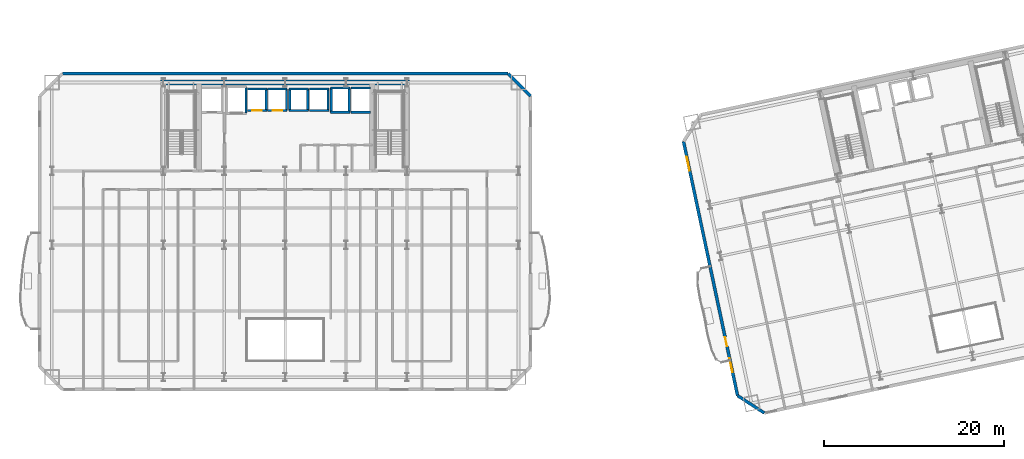
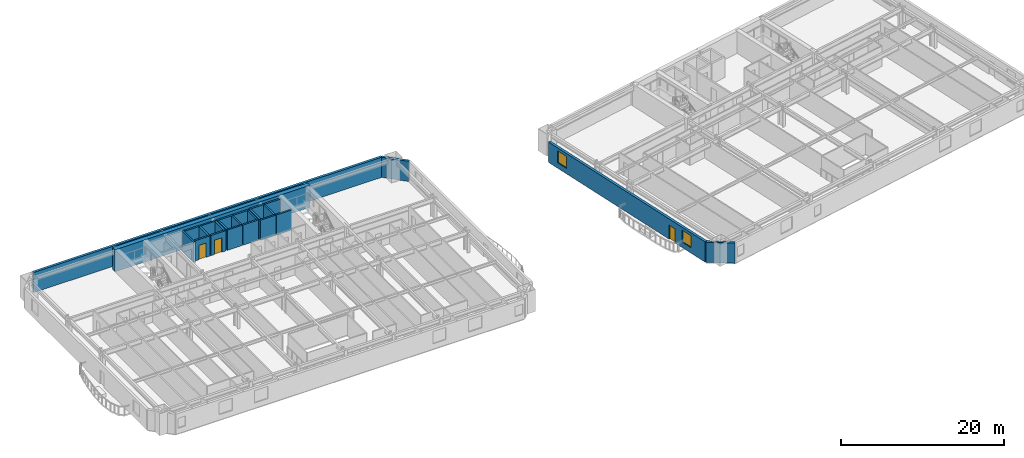
# One storey, part 7 of 17: 25 walls, 3 doors, 2 windows, 5 openings.
"""IFC4 building model written with IfcOpenShell, lengths in metres."""

from ifc_helpers import new_model, si_unit, direction, frame, frame_2d, origin, place, context, subcontext, project, spatial, rectangle, extrude, material, layer, layer_set, type_object, element, fill, save


model = new_model("IFC4")

# Units and contexts
model_context = context("Model", 3, precision=1e-05, world=origin(), true_north=direction((0.0, 1.0)))
body_context = subcontext(model_context, "Body", "Model", "MODEL_VIEW")
ifc_project = project(units=[si_unit("LENGTHUNIT", "METRE"), si_unit("AREAUNIT", "SQUARE_METRE"), si_unit("VOLUMEUNIT", "CUBIC_METRE"), si_unit("PLANEANGLEUNIT", "RADIAN"), si_unit("MASSUNIT", "GRAM", prefix="KILO")], contexts=[model_context])

# Site, building, storey
site_placement = place(None, origin())
site = spatial("IfcSite", under=ifc_project, at=site_placement, CompositionType="ELEMENT")
building_placement = place(site_placement, origin())
building = spatial("IfcBuilding", under=site, at=building_placement, Name="Haevon Station Towers", CompositionType="ELEMENT")
storey_placement = place(building_placement, frame((0.0, 0.0, 37.199951171875)))
storey = spatial("IfcBuildingStorey", under=building, at=storey_placement, Name="L08", CompositionType="ELEMENT", Elevation=37.199951171875)

# Walls
ifc_material_1 = material(Name="Concrete C60/75", Category="concrete")
ifc_layer_1 = layer(ifc_material_1, 0.60009765625)
ifc_layer_set_1 = layer_set([ifc_layer_1], Name="Concrete C60/75")
wall_type_1 = type_object("IfcWallType", Name="WL-CR600", PredefinedType="SHEAR", material=ifc_layer_set_1)
wall_1_placement = place(storey_placement, frame((23.699951171875, 48.0, 0.0), z_axis=(0.0, 0.0, 1.0), x_axis=(1.0, 0.0, 0.0)))
element("IfcWall", 1, at=wall_1_placement, inside=storey, type_object=wall_type_1, Name="WL-T1CR-L08-N", PredefinedType="SHEAR", context=body_context, shape_type="SweptSolid", body=[
    extrude(rectangle(XDim=27.60009765625, YDim=0.60009765625, at=frame_2d((13.800048828125, 0.0))), origin(), (0.0, 0.0, 1.0), 3.300048828125),
])
ifc_material_2 = material(Name="Precast concrete C45/55", Category="concrete")
ifc_layer_2 = layer(ifc_material_2, 0.340087890625)
ifc_layer_set_2 = layer_set([ifc_layer_2], Name="Precast concrete C45/55")
wall_type_2 = type_object("IfcWallType", Name="WL-EXT-PIER340", PredefinedType="SOLIDWALL", material=ifc_layer_set_2)
wall_2_placement = place(storey_placement, frame((12.800048828125, 49.0, 0.0), z_axis=(0.0, 0.0, 1.0), x_axis=(1.0, 0.0, 0.0)))
element("IfcWall", 2, at=wall_2_placement, inside=storey, type_object=wall_type_2, Name="WL-T1-L08-N", PredefinedType="SOLIDWALL", context=body_context, shape_type="SweptSolid", body=[
    extrude(rectangle(XDim=49.39990234375, YDim=0.340087890625, at=frame_2d((24.699951171875, 0.0))), origin(), (0.0, 0.0, 1.0), 3.030029296875),
])
wall_3_placement = place(storey_placement, frame((62.199951171875, 49.0, 0.0), z_axis=(0.0, 0.0, 1.0), x_axis=(0.707106781187, -0.707106781187, 0.0)))
element("IfcWall", 3, at=wall_3_placement, inside=storey, type_object=wall_type_2, Name="WL-T1-L08-NEC", PredefinedType="SOLIDWALL", context=body_context, shape_type="SweptSolid", body=[
    extrude(rectangle(XDim=3.53564453125, YDim=0.340087890625, at=frame_2d((1.767822265625, 0.0))), origin(), (0.0, 0.0, 1.0), 3.030029296875),
])
wall_4_placement = place(storey_placement, frame((90.593505859375, 11.37646484375, 0.0), z_axis=(0.0, 0.0, 1.0), x_axis=(-0.838672309694, 0.544636352948, 0.0)))
element("IfcWall", 4, at=wall_4_placement, inside=storey, type_object=wall_type_2, Name="WL-T2-L08-SWC", PredefinedType="SOLIDWALL", context=body_context, shape_type="SweptSolid", body=[
    extrude(rectangle(XDim=3.535400390625, YDim=0.340087890625, at=frame_2d((1.767578125, 0.0))), origin(), (0.0, 0.0, 1.0), 3.030029296875),
])

# Wall, openings, door, windows
wall_5_placement = place(storey_placement, frame((87.62841796875, 13.302001953125, 0.0), z_axis=(0.0, 0.0, 1.0), x_axis=(-0.207917660404, 0.97814633184, 0.0)))
wall_5 = element("IfcWall", 5, at=wall_5_placement, inside=storey, type_object=wall_type_2, Name="WL-T2-L08-W", PredefinedType="SOLIDWALL", context=body_context, shape_type="SweptSolid", body=[
    extrude(rectangle(XDim=28.800048828125, YDim=0.340087890625, at=frame_2d((14.39990234375, 0.0))), origin(), (0.0, 0.0, 1.0), 3.030029296875),
])
opening_1_placement = place(wall_5_placement, frame((5.574951171875, 0.0, 0.0)))
opening_1 = element("IfcOpeningElement", 6, at=opening_1_placement, cuts=wall_5, Name="Opening DR-T2-SCAL-L08-W", PredefinedType="OPENING", context=body_context, shape_type="SweptSolid", body=[
    extrude(rectangle(XDim=1.050048828125, YDim=2.10009765625, at=frame_2d((0.52490234375, 1.050048828125))), frame((0.0, 0.179931640625, 0.0), z_axis=(0.0, -1.0, 0.0), x_axis=(1.0, 0.0, 0.0)), (0.0, 0.0, 1.0), 0.360107421875),
])
opening_2_placement = place(wall_5_placement, frame((2.628662109375, 0.0, 0.800048828125)))
opening_2 = element("IfcOpeningElement", 7, at=opening_2_placement, cuts=wall_5, Name="Opening WN-END160", PredefinedType="OPENING", context=body_context, shape_type="SweptSolid", body=[
    extrude(rectangle(XDim=1.60009765625, YDim=1.800048828125, at=frame_2d((0.800048828125, 0.89990234375))), frame((0.0, 0.179931640625, 0.0), z_axis=(0.0, -1.0, 0.0), x_axis=(1.0, 0.0, 0.0)), (0.0, 0.0, 1.0), 0.360107421875),
])
opening_3_placement = place(wall_5_placement, frame((25.485595703125, 0.0, 0.800048828125)))
opening_3 = element("IfcOpeningElement", 8, at=opening_3_placement, cuts=wall_5, Name="Opening WN-END160", PredefinedType="OPENING", context=body_context, shape_type="SweptSolid", body=[
    extrude(rectangle(XDim=1.60009765625, YDim=1.800048828125, at=frame_2d((0.800048828125, 0.89990234375))), frame((0.0, 0.179931640625, 0.0), z_axis=(0.0, -1.0, 0.0), x_axis=(1.0, 0.0, 0.0)), (0.0, 0.0, 1.0), 0.360107421875),
])
ifc_material_3 = material(Name="Thermally broken anodised aluminium and laminated safety glass", Category="aluminium")
door_type_1 = type_object("IfcDoorType", Name="DR-BALC-1050", OperationType="NOTDEFINED", PredefinedType="DOOR", material=ifc_material_3)
door_1_placement = place(opening_1_placement, origin())
door_1 = element("IfcDoor", 9, at=door_1_placement, inside=storey, type_object=door_type_1, Name="Tower 2 L08 West Scalloped Balcony Door", OperationType="SINGLE_SWING_RIGHT", OverallHeight=2.10009765625, OverallWidth=1.050048828125, PredefinedType="DOOR", context=body_context, shape_type="SweptSolid", body=[
    extrude(rectangle(XDim=1.050048828125, YDim=2.10009765625, at=frame_2d((0.52490234375, 1.050048828125))), frame((0.0, 0.02490234375, 0.0), z_axis=(0.0, -1.0, 0.0), x_axis=(1.0, 0.0, 0.0)), (0.0, 0.0, 1.0), 0.050048828125),
])
fill(opening_1, door_1)
ifc_material_4 = material(Name="Low-E triple glazing in thermally broken aluminium", Category="aluminium")
window_type = type_object("IfcWindowType", Name="WN-END160", PartitioningType="SINGLE_PANEL", PredefinedType="WINDOW", material=ifc_material_4)
window_1_placement = place(opening_2_placement, origin())
window_1 = element("IfcWindow", 10, at=window_1_placement, inside=storey, type_object=window_type, Name="WN-T2-L08-W01", OverallHeight=1.800048828125, OverallWidth=1.60009765625, PartitioningType="SINGLE_PANEL", PredefinedType="WINDOW", context=body_context, shape_type="SweptSolid", body=[
    extrude(rectangle(XDim=1.60009765625, YDim=1.800048828125, at=frame_2d((0.800048828125, 0.89990234375))), frame((0.0, 0.030029296875, 0.0), z_axis=(0.0, -1.0, 0.0), x_axis=(1.0, 0.0, 0.0)), (0.0, 0.0, 1.0), 0.06005859375),
])
fill(opening_2, window_1)
window_2_placement = place(opening_3_placement, origin())
window_2 = element("IfcWindow", 11, at=window_2_placement, inside=storey, type_object=window_type, Name="WN-T2-L08-W02", OverallHeight=1.800048828125, OverallWidth=1.60009765625, PartitioningType="SINGLE_PANEL", PredefinedType="WINDOW", context=body_context, shape_type="SweptSolid", body=[
    extrude(rectangle(XDim=1.60009765625, YDim=1.800048828125, at=frame_2d((0.800048828125, 0.89990234375))), frame((0.0, 0.030029296875, 0.0), z_axis=(0.0, -1.0, 0.0), x_axis=(1.0, 0.0, 0.0)), (0.0, 0.0, 1.0), 0.06005859375),
])
fill(opening_3, window_2)

# Wall
ifc_material_5 = material(Name="Concrete C40/50", Category="concrete")
ifc_layer_3 = layer(ifc_material_5, 0.239990234375)
ifc_layer_set_3 = layer_set([ifc_layer_3], Name="Concrete C40/50")
wall_type_3 = type_object("IfcWallType", Name="WL-SHF240", PredefinedType="PARTITIONING", material=ifc_layer_set_3)
wall_6_placement = place(storey_placement, frame((33.14990234375, 44.60009765625, 0.0), z_axis=(0.0, 0.0, 1.0), x_axis=(0.0, 1.0, 0.0)))
element("IfcWall", 12, at=wall_6_placement, inside=storey, type_object=wall_type_3, Name="WL-SHF-SL1-L08-E", PredefinedType="PARTITIONING", context=body_context, shape_type="SweptSolid", body=[
    extrude(rectangle(XDim=2.89990234375, YDim=0.239990234375, at=frame_2d((1.449951171875, 0.0))), origin(), (0.0, 0.0, 1.0), 3.030029296875),
])

# Wall, opening, door
wall_7_placement = place(storey_placement, frame((33.320068359375, 44.89990234375, 0.0), z_axis=(0.0, 0.0, 1.0), x_axis=(1.0, 0.0, 0.0)))
wall_7 = element("IfcWall", 13, at=wall_7_placement, inside=storey, type_object=wall_type_3, Name="WL-SHF-PL1-L08", PredefinedType="PARTITIONING", context=body_context, shape_type="SweptSolid", body=[
    extrude(rectangle(XDim=2.159912109375, YDim=0.239990234375, at=frame_2d((1.080078125, 0.0))), origin(), (0.0, 0.0, 1.0), 3.030029296875),
])
opening_4_placement = place(wall_7_placement, frame((0.554931640625, 0.0, 0.0)))
opening_4 = element("IfcOpeningElement", 14, at=opening_4_placement, cuts=wall_7, Name="Opening LD-PL1-L08", PredefinedType="OPENING", context=body_context, shape_type="SweptSolid", body=[
    extrude(rectangle(XDim=1.050048828125, YDim=2.14990234375, at=frame_2d((0.52490234375, 1.074951171875))), frame((0.0, 0.1298828125, 0.0), z_axis=(0.0, -1.0, 0.0), x_axis=(1.0, 0.0, 0.0)), (0.0, 0.0, 1.0), 0.260009765625),
])
ifc_material_6 = material(Name="Stainless steel and rated core", Category="steel")
door_type_2 = type_object("IfcDoorType", Name="LD-PL1050", OperationType="SLIDING_TO_LEFT", PredefinedType="DOOR", material=ifc_material_6)
door_2_placement = place(opening_4_placement, origin())
door_2 = element("IfcDoor", 15, at=door_2_placement, inside=storey, type_object=door_type_2, Name="L08 Lift PL1 Sliding Landing Door", OperationType="SLIDING_TO_LEFT", OverallHeight=2.14990234375, OverallWidth=1.050048828125, PredefinedType="DOOR", context=body_context, shape_type="SweptSolid", body=[
    extrude(rectangle(XDim=1.050048828125, YDim=2.14990234375, at=frame_2d((0.52490234375, 1.074951171875))), frame((0.0, 0.02490234375, 0.0), z_axis=(0.0, -1.0, 0.0), x_axis=(1.0, 0.0, 0.0)), (0.0, 0.0, 1.0), 0.050048828125),
])
fill(opening_4, door_2)

# Walls
wall_8_placement = place(storey_placement, frame((33.320068359375, 47.300048828125, 0.0), z_axis=(0.0, 0.0, 1.0), x_axis=(1.0, 0.0, 0.0)))
element("IfcWall", 16, at=wall_8_placement, inside=storey, type_object=wall_type_3, Name="WL-SHF-PL1-L08-N", PredefinedType="PARTITIONING", context=body_context, shape_type="SweptSolid", body=[
    extrude(rectangle(XDim=2.159912109375, YDim=0.239990234375, at=frame_2d((1.080078125, 0.0))), origin(), (0.0, 0.0, 1.0), 3.030029296875),
])
wall_9_placement = place(storey_placement, frame((35.39990234375, 44.89990234375, 0.0), z_axis=(0.0, 0.0, 1.0), x_axis=(0.0, 1.0, 0.0)))
element("IfcWall", 17, at=wall_9_placement, inside=storey, type_object=wall_type_3, Name="WL-SHF-PL1-L08-E", PredefinedType="PARTITIONING", context=body_context, shape_type="SweptSolid", body=[
    extrude(rectangle(XDim=2.400146484375, YDim=0.239990234375, at=frame_2d((1.2001953125, 0.0))), origin(), (0.0, 0.0, 1.0), 3.030029296875),
])

# Wall, opening, door
wall_10_placement = place(storey_placement, frame((35.570068359375, 44.89990234375, 0.0), z_axis=(0.0, 0.0, 1.0), x_axis=(1.0, 0.0, 0.0)))
wall_10 = element("IfcWall", 18, at=wall_10_placement, inside=storey, type_object=wall_type_3, Name="WL-SHF-PL2-L08", PredefinedType="PARTITIONING", context=body_context, shape_type="SweptSolid", body=[
    extrude(rectangle(XDim=2.159912109375, YDim=0.239990234375, at=frame_2d((1.080078125, 0.0))), origin(), (0.0, 0.0, 1.0), 3.030029296875),
])
opening_5_placement = place(wall_10_placement, frame((0.554931640625, 0.0, 0.0)))
opening_5 = element("IfcOpeningElement", 19, at=opening_5_placement, cuts=wall_10, Name="Opening LD-PL2-L08", PredefinedType="OPENING", context=body_context, shape_type="SweptSolid", body=[
    extrude(rectangle(XDim=1.050048828125, YDim=2.14990234375, at=frame_2d((0.52490234375, 1.074951171875))), frame((0.0, 0.1298828125, 0.0), z_axis=(0.0, -1.0, 0.0), x_axis=(1.0, 0.0, 0.0)), (0.0, 0.0, 1.0), 0.260009765625),
])
door_3_placement = place(opening_5_placement, origin())
door_3 = element("IfcDoor", 20, at=door_3_placement, inside=storey, type_object=door_type_2, Name="L08 Lift PL2 Sliding Landing Door", OperationType="SLIDING_TO_LEFT", OverallHeight=2.14990234375, OverallWidth=1.050048828125, PredefinedType="DOOR", context=body_context, shape_type="SweptSolid", body=[
    extrude(rectangle(XDim=1.050048828125, YDim=2.14990234375, at=frame_2d((0.52490234375, 1.074951171875))), frame((0.0, 0.02490234375, 0.0), z_axis=(0.0, -1.0, 0.0), x_axis=(1.0, 0.0, 0.0)), (0.0, 0.0, 1.0), 0.050048828125),
])
fill(opening_5, door_3)

# Walls
wall_11_placement = place(storey_placement, frame((35.570068359375, 47.300048828125, 0.0), z_axis=(0.0, 0.0, 1.0), x_axis=(1.0, 0.0, 0.0)))
element("IfcWall", 21, at=wall_11_placement, inside=storey, type_object=wall_type_3, Name="WL-SHF-PL2-L08-N", PredefinedType="PARTITIONING", context=body_context, shape_type="SweptSolid", body=[
    extrude(rectangle(XDim=2.159912109375, YDim=0.239990234375, at=frame_2d((1.080078125, 0.0))), origin(), (0.0, 0.0, 1.0), 3.030029296875),
])
wall_12_placement = place(storey_placement, frame((37.64990234375, 44.89990234375, 0.0), z_axis=(0.0, 0.0, 1.0), x_axis=(0.0, 1.0, 0.0)))
element("IfcWall", 22, at=wall_12_placement, inside=storey, type_object=wall_type_3, Name="WL-SHF-PL2-L08-E", PredefinedType="PARTITIONING", context=body_context, shape_type="SweptSolid", body=[
    extrude(rectangle(XDim=2.400146484375, YDim=0.239990234375, at=frame_2d((1.2001953125, 0.0))), origin(), (0.0, 0.0, 1.0), 3.030029296875),
])
for number, where, z_axis, x_axis, name in (
    (23, (37.919921875, 44.89990234375, 0.0), (0.0, 0.0, 1.0), (1.0, 0.0, 0.0), "WL-SHF-PL3-L08"),
    (24, (37.919921875, 47.300048828125, 0.0), (0.0, 0.0, 1.0), (1.0, 0.0, 0.0), "WL-SHF-PL3-L08-N"),
):
    element("IfcWall", number, at=place(storey_placement, frame(where, z_axis=z_axis, x_axis=x_axis)), inside=storey, type_object=wall_type_3, Name=name, PredefinedType="PARTITIONING", context=body_context, shape_type="SweptSolid", body=[
        extrude(rectangle(XDim=2.16015625, YDim=0.239990234375, at=frame_2d((1.080078125, 0.0))), origin(), (0.0, 0.0, 1.0), 3.030029296875),
    ])
for number, where, z_axis, x_axis, name in (
    (25, (38.0, 44.89990234375, 0.0), (0.0, 0.0, 1.0), (0.0, 1.0, 0.0), "WL-SHF-PL3-L08-W"),
    (26, (40.0, 44.89990234375, 0.0), (0.0, 0.0, 1.0), (0.0, 1.0, 0.0), "WL-SHF-PL3-L08-E"),
):
    element("IfcWall", number, at=place(storey_placement, frame(where, z_axis=z_axis, x_axis=x_axis)), inside=storey, type_object=wall_type_3, Name=name, PredefinedType="PARTITIONING", context=body_context, shape_type="SweptSolid", body=[
        extrude(rectangle(XDim=2.400146484375, YDim=0.239990234375, at=frame_2d((1.2001953125, 0.0))), origin(), (0.0, 0.0, 1.0), 3.030029296875),
    ])
for number, where, z_axis, x_axis, name in (
    (27, (40.169921875, 44.89990234375, 0.0), (0.0, 0.0, 1.0), (1.0, 0.0, 0.0), "WL-SHF-PL4-L08"),
    (28, (40.169921875, 47.300048828125, 0.0), (0.0, 0.0, 1.0), (1.0, 0.0, 0.0), "WL-SHF-PL4-L08-N"),
):
    element("IfcWall", number, at=place(storey_placement, frame(where, z_axis=z_axis, x_axis=x_axis)), inside=storey, type_object=wall_type_3, Name=name, PredefinedType="PARTITIONING", context=body_context, shape_type="SweptSolid", body=[
        extrude(rectangle(XDim=2.16015625, YDim=0.239990234375, at=frame_2d((1.080078125, 0.0))), origin(), (0.0, 0.0, 1.0), 3.030029296875),
    ])
wall_13_placement = place(storey_placement, frame((42.25, 44.89990234375, 0.0), z_axis=(0.0, 0.0, 1.0), x_axis=(0.0, 1.0, 0.0)))
element("IfcWall", 29, at=wall_13_placement, inside=storey, type_object=wall_type_3, Name="WL-SHF-PL4-L08-E", PredefinedType="PARTITIONING", context=body_context, shape_type="SweptSolid", body=[
    extrude(rectangle(XDim=2.400146484375, YDim=0.239990234375, at=frame_2d((1.2001953125, 0.0))), origin(), (0.0, 0.0, 1.0), 3.030029296875),
])
for number, where, z_axis, x_axis, name in (
    (30, (42.52001953125, 44.699951171875, 0.0), (0.0, 0.0, 1.0), (1.0, 0.0, 0.0), "WL-SHF-PL5-L08"),
    (31, (42.52001953125, 47.39990234375, 0.0), (0.0, 0.0, 1.0), (1.0, 0.0, 0.0), "WL-SHF-PL5-L08-N"),
):
    element("IfcWall", number, at=place(storey_placement, frame(where, z_axis=z_axis, x_axis=x_axis)), inside=storey, type_object=wall_type_3, Name=name, PredefinedType="PARTITIONING", context=body_context, shape_type="SweptSolid", body=[
        extrude(rectangle(XDim=2.159912109375, YDim=0.239990234375, at=frame_2d((1.080078125, 0.0))), origin(), (0.0, 0.0, 1.0), 3.030029296875),
    ])
for number, where, z_axis, x_axis, name in (
    (32, (42.60009765625, 44.699951171875, 0.0), (0.0, 0.0, 1.0), (0.0, 1.0, 0.0), "WL-SHF-PL5-L08-W"),
    (33, (44.60009765625, 44.699951171875, 0.0), (0.0, 0.0, 1.0), (0.0, 1.0, 0.0), "WL-SHF-PL5-L08-E"),
):
    element("IfcWall", number, at=place(storey_placement, frame(where, z_axis=z_axis, x_axis=x_axis)), inside=storey, type_object=wall_type_3, Name=name, PredefinedType="PARTITIONING", context=body_context, shape_type="SweptSolid", body=[
        extrude(rectangle(XDim=2.699951171875, YDim=0.239990234375, at=frame_2d((1.35009765625, 0.0))), origin(), (0.0, 0.0, 1.0), 3.030029296875),
    ])
for number, where, z_axis, x_axis, name in (
    (34, (44.77001953125, 44.699951171875, 0.0), (0.0, 0.0, 1.0), (1.0, 0.0, 0.0), "WL-SHF-PL6-L08"),
    (35, (44.77001953125, 47.39990234375, 0.0), (0.0, 0.0, 1.0), (1.0, 0.0, 0.0), "WL-SHF-PL6-L08-N"),
):
    element("IfcWall", number, at=place(storey_placement, frame(where, z_axis=z_axis, x_axis=x_axis)), inside=storey, type_object=wall_type_3, Name=name, PredefinedType="PARTITIONING", context=body_context, shape_type="SweptSolid", body=[
        extrude(rectangle(XDim=2.159912109375, YDim=0.239990234375, at=frame_2d((1.080078125, 0.0))), origin(), (0.0, 0.0, 1.0), 3.030029296875),
    ])

save(model, "model.ifc")
